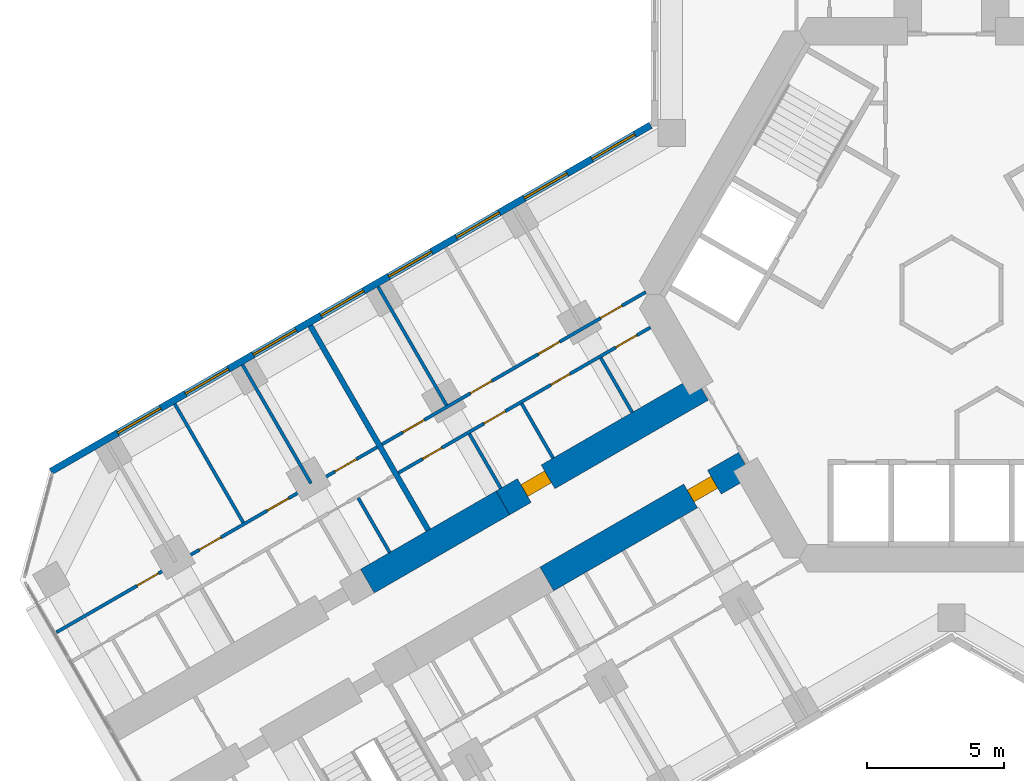
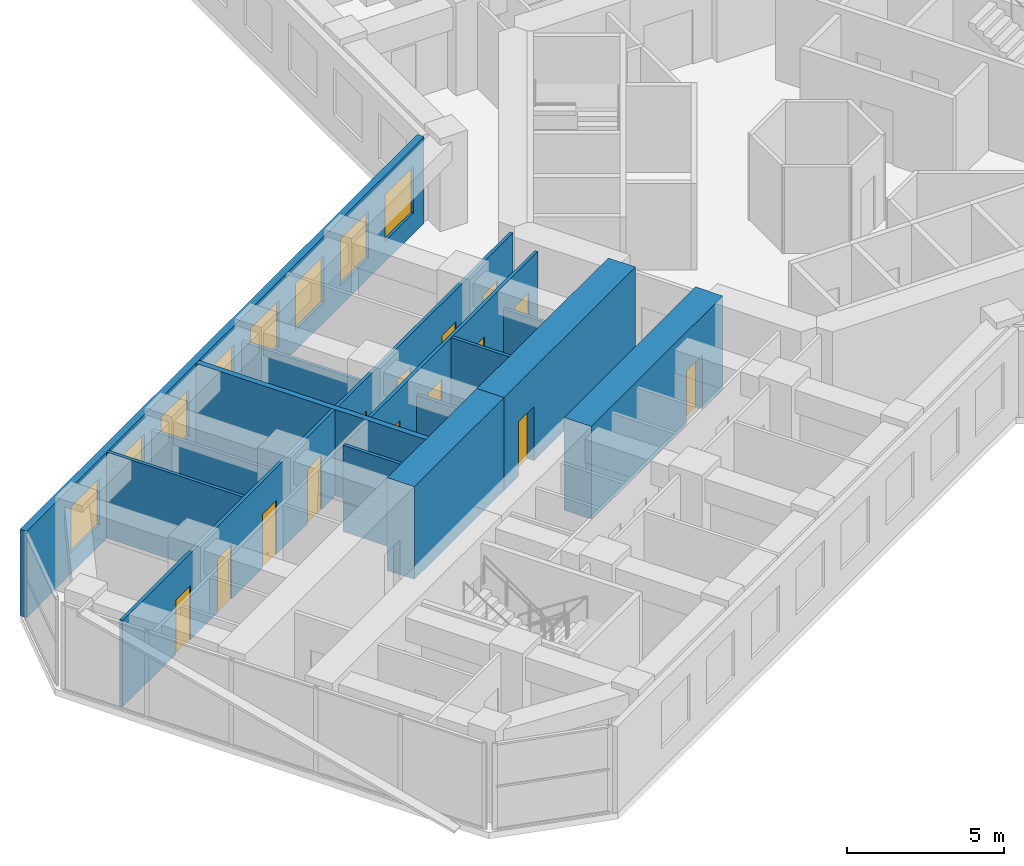
# One storey, part 12 of 21: 15 walls, 14 doors, 8 windows, 22 openings.
"""IFC4 building model written with IfcOpenShell, lengths in metres."""

from ifc_helpers import new_model, si_unit, direction, frame, frame_2d, origin, place, context, subcontext, project, spatial, rectangle, extrude, material, layer, layer_set, type_object, element, fill, save


model = new_model("IFC4")

# Units and contexts
model_context = context("Model", 3, precision=1e-05, world=origin(), true_north=direction((0.0, 1.0)))
body_context = subcontext(model_context, "Body", "Model", "MODEL_VIEW")
ifc_project = project(units=[si_unit("LENGTHUNIT", "METRE"), si_unit("AREAUNIT", "SQUARE_METRE"), si_unit("VOLUMEUNIT", "CUBIC_METRE"), si_unit("PLANEANGLEUNIT", "RADIAN"), si_unit("MASSUNIT", "GRAM", prefix="KILO")], contexts=[model_context])

# Site, building, storey
site_placement = place(None, origin())
site = spatial("IfcSite", under=ifc_project, at=site_placement, CompositionType="ELEMENT")
building_placement = place(site_placement, origin())
building = spatial("IfcBuilding", under=site, at=building_placement, Name="Kosmar Iwan School Tower", CompositionType="ELEMENT")
storey_placement = place(building_placement, frame((0.0, 0.0, 64.60009765625)))
storey = spatial("IfcBuildingStorey", under=building, at=storey_placement, Name="L15", CompositionType="ELEMENT", Elevation=64.60009765625)

# Wall, opening, door
ifc_material_1 = material(Name="Concrete C50/60", Category="concrete")
ifc_layer_1 = layer(ifc_material_1, 1.0)
ifc_layer_set_1 = layer_set([ifc_layer_1], Name="Corridor buttress wall 1000")
wall_type_1 = type_object("IfcWallType", Name="Corridor buttress wall 1000", PredefinedType="SHEAR", material=ifc_layer_set_1)
wall_1_placement = place(storey_placement, frame((-7.513916015625, -6.185546875, 0.0), z_axis=(0.0, 0.0, 1.0), x_axis=(-0.866019549707, -0.500010139422, 0.0)))
wall_1 = element("IfcWall", 1, at=wall_1_placement, inside=storey, type_object=wall_type_1, Name="Corridor wall BL", PredefinedType="SHEAR", context=body_context, shape_type="SweptSolid", body=[
    extrude(rectangle(XDim=8.349853515625, YDim=1.0, at=frame_2d((4.1748046875, 0.0))), origin(), (0.0, 0.0, 1.0), 3.599853515625),
])
opening_1_placement = place(wall_1_placement, frame((1.300048828125, 0.0, 0.0)))
opening_1 = element("IfcOpeningElement", 2, at=opening_1_placement, cuts=wall_1, Name="Opening D1", PredefinedType="OPENING", context=body_context, shape_type="SweptSolid", body=[
    extrude(rectangle(XDim=1.0, YDim=2.10009765625, at=frame_2d((0.5, 1.050048828125))), frame((0.0, 0.511962890625, 0.0), z_axis=(0.0, -1.0, 0.0), x_axis=(1.0, 0.0, 0.0)), (0.0, 0.0, 1.0), 1.02392578125),
])
ifc_material_2 = material(Name="Timber fire door in steel frame", Category="steel")
door_type_1 = type_object("IfcDoorType", Name="Flat entrance door 1000x2100", OperationType="SINGLE_SWING_LEFT", PredefinedType="DOOR", material=ifc_material_2)
door_1_placement = place(opening_1_placement, origin())
door_1 = element("IfcDoor", 3, at=door_1_placement, inside=storey, type_object=door_type_1, Name="Flat L15-BL1 entrance door", OperationType="SINGLE_SWING_RIGHT", OverallHeight=2.10009765625, OverallWidth=1.0, PredefinedType="DOOR", context=body_context, shape_type="SweptSolid", body=[
    extrude(rectangle(XDim=1.0, YDim=2.10009765625, at=frame_2d((0.5, 1.050048828125))), frame((0.0, 0.25, 0.0), z_axis=(0.0, -1.0, 0.0), x_axis=(1.0, 0.0, 0.0)), (0.0, 0.0, 1.0), 0.5),
])
fill(opening_1, door_1)

wall_2_placement = place(storey_placement, frame((-9.11376953125, -3.414306640625, 0.0), z_axis=(0.0, 0.0, 1.0), x_axis=(-0.866026859388, -0.499997478812, 0.0)))
wall_2 = element("IfcWall", 4, at=wall_2_placement, inside=storey, type_object=wall_type_1, Name="Corridor wall BR", PredefinedType="SHEAR", context=body_context, shape_type="SweptSolid", body=[
    extrude(rectangle(XDim=8.35009765625, YDim=1.0, at=frame_2d((4.175048828125, 0.0))), origin(), (0.0, 0.0, 1.0), 3.599853515625),
])
opening_2_placement = place(wall_2_placement, frame((6.449951171875, 0.0, 0.0)))
opening_2 = element("IfcOpeningElement", 5, at=opening_2_placement, cuts=wall_2, Name="Opening D1", PredefinedType="OPENING", context=body_context, shape_type="SweptSolid", body=[
    extrude(rectangle(XDim=1.0, YDim=2.10009765625, at=frame_2d((0.5, 1.050048828125))), frame((0.0, 0.511962890625, 0.0), z_axis=(0.0, -1.0, 0.0), x_axis=(1.0, 0.0, 0.0)), (0.0, 0.0, 1.0), 1.02392578125),
])
door_2_placement = place(opening_2_placement, origin())
door_2 = element("IfcDoor", 6, at=door_2_placement, inside=storey, type_object=door_type_1, Name="Flat L15-BR1 entrance door", OperationType="SINGLE_SWING_RIGHT", OverallHeight=2.10009765625, OverallWidth=1.0, PredefinedType="DOOR", context=body_context, shape_type="SweptSolid", body=[
    extrude(rectangle(XDim=1.0, YDim=2.10009765625, at=frame_2d((0.5, 1.050048828125))), frame((0.0, 0.25, 0.0), z_axis=(0.0, -1.0, 0.0), x_axis=(1.0, 0.0, 0.0)), (0.0, 0.0, 1.0), 0.5),
])
fill(opening_2, door_2)

# Wall
wall_3_placement = place(storey_placement, frame((-16.34521484375, -7.58935546875, 0.0), z_axis=(0.0, 0.0, 1.0), x_axis=(-0.866015111908, -0.50001782563, 0.0)))
element("IfcWall", 7, at=wall_3_placement, inside=storey, type_object=wall_type_1, Name="Corridor wall BR bay 2", PredefinedType="SHEAR", context=body_context, shape_type="SweptSolid", body=[
    extrude(rectangle(XDim=5.699951171875, YDim=1.0, at=frame_2d((2.85009765625, 0.0))), origin(), (0.0, 0.0, 1.0), 3.599853515625),
])

# Wall, openings, doors
ifc_material_3 = material(Name="Gypsum board on steel studs", Category="steel")
ifc_layer_2 = layer(ifc_material_3, 0.1201171875)
ifc_layer_set_2 = layer_set([ifc_layer_2], Name="Dwelling partition 120")
wall_type_2 = type_object("IfcWallType", Name="Dwelling partition 120", PredefinedType="PARTITIONING", material=ifc_layer_set_2)
wall_4_placement = place(storey_placement, frame((-10.971923828125, -1.1962890625, 0.0), z_axis=(0.0, 0.0, 1.0), x_axis=(-0.866034853001, -0.49998363312, 0.0)))
wall_4 = element("IfcWall", 8, at=wall_4_placement, inside=storey, type_object=wall_type_2, Name="Partition L15-BR1-W1", PredefinedType="PARTITIONING", context=body_context, shape_type="SweptSolid", body=[
    extrude(rectangle(XDim=10.599853515625, YDim=0.1201171875, at=frame_2d((5.2998046875, 0.0))), origin(), (0.0, 0.0, 1.0), 3.349853515625),
])
opening_3_placement = place(wall_4_placement, frame((0.56005859375, 0.0, 0.0)))
opening_3 = element("IfcOpeningElement", 9, at=opening_3_placement, cuts=wall_4, Name="Opening D2", PredefinedType="OPENING", context=body_context, shape_type="SweptSolid", body=[
    extrude(rectangle(XDim=0.89990234375, YDim=2.10009765625, at=frame_2d((0.449951171875, 1.050048828125))), frame((0.0, 0.072021484375, 0.0), z_axis=(0.0, -1.0, 0.0), x_axis=(1.0, 0.0, 0.0)), (0.0, 0.0, 1.0), 0.14404296875),
])
opening_4_placement = place(wall_4_placement, frame((3.385009765625, 0.0, 0.0)))
opening_4 = element("IfcOpeningElement", 10, at=opening_4_placement, cuts=wall_4, Name="Opening D3", PredefinedType="OPENING", context=body_context, shape_type="SweptSolid", body=[
    extrude(rectangle(XDim=0.800048828125, YDim=2.10009765625, at=frame_2d((0.39990234375, 1.050048828125))), frame((0.0, 0.072021484375, 0.0), z_axis=(0.0, -1.0, 0.0), x_axis=(1.0, 0.0, 0.0)), (0.0, 0.0, 1.0), 0.14404296875),
])
opening_5_placement = place(wall_4_placement, frame((6.10009765625, 0.0, 0.0)))
opening_5 = element("IfcOpeningElement", 11, at=opening_5_placement, cuts=wall_4, Name="Opening D2", PredefinedType="OPENING", context=body_context, shape_type="SweptSolid", body=[
    extrude(rectangle(XDim=0.89990234375, YDim=2.10009765625, at=frame_2d((0.449951171875, 1.050048828125))), frame((0.0, 0.072021484375, 0.0), z_axis=(0.0, -1.0, 0.0), x_axis=(1.0, 0.0, 0.0)), (0.0, 0.0, 1.0), 0.14404296875),
])
opening_6_placement = place(wall_4_placement, frame((8.77490234375, 0.0, 0.0)))
opening_6 = element("IfcOpeningElement", 12, at=opening_6_placement, cuts=wall_4, Name="Opening D3", PredefinedType="OPENING", context=body_context, shape_type="SweptSolid", body=[
    extrude(rectangle(XDim=0.800048828125, YDim=2.10009765625, at=frame_2d((0.39990234375, 1.050048828125))), frame((0.0, 0.072021484375, 0.0), z_axis=(0.0, -1.0, 0.0), x_axis=(1.0, 0.0, 0.0)), (0.0, 0.0, 1.0), 0.14404296875),
])
ifc_material_4 = material(Name="Timber door in timber frame", Category="wood")
door_type_2 = type_object("IfcDoorType", Name="Internal door 900x2100", OperationType="SINGLE_SWING_LEFT", PredefinedType="DOOR", material=ifc_material_4)
door_3_placement = place(opening_3_placement, origin())
door_3 = element("IfcDoor", 13, at=door_3_placement, inside=storey, type_object=door_type_2, Name="Pantry door L15-BR1-S1", OperationType="SINGLE_SWING_RIGHT", OverallHeight=2.10009765625, OverallWidth=0.89990234375, PredefinedType="DOOR", context=body_context, shape_type="SweptSolid", body=[
    extrude(rectangle(XDim=0.89990234375, YDim=2.10009765625, at=frame_2d((0.449951171875, 1.050048828125))), frame((0.0, 0.02490234375, 0.0), z_axis=(0.0, -1.0, 0.0), x_axis=(1.0, 0.0, 0.0)), (0.0, 0.0, 1.0), 0.050048828125),
])
fill(opening_3, door_3)
door_4_placement = place(opening_5_placement, origin())
door_4 = element("IfcDoor", 14, at=door_4_placement, inside=storey, type_object=door_type_2, Name="Entrance hall door L15-BR1-S3", OperationType="SINGLE_SWING_RIGHT", OverallHeight=2.10009765625, OverallWidth=0.89990234375, PredefinedType="DOOR", context=body_context, shape_type="SweptSolid", body=[
    extrude(rectangle(XDim=0.89990234375, YDim=2.10009765625, at=frame_2d((0.449951171875, 1.050048828125))), frame((0.0, 0.02490234375, 0.0), z_axis=(0.0, -1.0, 0.0), x_axis=(1.0, 0.0, 0.0)), (0.0, 0.0, 1.0), 0.050048828125),
])
fill(opening_5, door_4)
ifc_material_5 = material(Name="Timber door in timber frame", Category="wood")
door_type_3 = type_object("IfcDoorType", Name="Sanitary room door 800x2100", OperationType="SINGLE_SWING_LEFT", PredefinedType="DOOR", material=ifc_material_5)
door_5_placement = place(opening_4_placement, origin())
door_5 = element("IfcDoor", 15, at=door_5_placement, inside=storey, type_object=door_type_3, Name="Bathroom door L15-BR1-S2", OperationType="SINGLE_SWING_LEFT", OverallHeight=2.10009765625, OverallWidth=0.800048828125, PredefinedType="DOOR", context=body_context, shape_type="SweptSolid", body=[
    extrude(rectangle(XDim=0.800048828125, YDim=2.10009765625, at=frame_2d((0.39990234375, 1.050048828125))), frame((0.0, 0.02490234375, 0.0), z_axis=(0.0, -1.0, 0.0), x_axis=(1.0, 0.0, 0.0)), (0.0, 0.0, 1.0), 0.050048828125),
])
fill(opening_4, door_5)
door_6_placement = place(opening_6_placement, origin())
door_6 = element("IfcDoor", 16, at=door_6_placement, inside=storey, type_object=door_type_3, Name="WC door L15-BR1-S4", OperationType="SINGLE_SWING_RIGHT", OverallHeight=2.10009765625, OverallWidth=0.800048828125, PredefinedType="DOOR", context=body_context, shape_type="SweptSolid", body=[
    extrude(rectangle(XDim=0.800048828125, YDim=2.10009765625, at=frame_2d((0.39990234375, 1.050048828125))), frame((0.0, 0.02490234375, 0.0), z_axis=(0.0, -1.0, 0.0), x_axis=(1.0, 0.0, 0.0)), (0.0, 0.0, 1.0), 0.050048828125),
])
fill(opening_6, door_6)

wall_5_placement = place(storey_placement, frame((-11.138916015625, 0.093017578125, 0.0), z_axis=(0.0, 0.0, 1.0), x_axis=(-0.866021494144, -0.500006771635, 0.0)))
wall_5 = element("IfcWall", 17, at=wall_5_placement, inside=storey, type_object=wall_type_2, Name="Partition L15-BR1-W2", PredefinedType="PARTITIONING", context=body_context, shape_type="SweptSolid", body=[
    extrude(rectangle(XDim=11.099853515625, YDim=0.1201171875, at=frame_2d((5.5498046875, 0.0))), origin(), (0.0, 0.0, 1.0), 3.349853515625),
])
opening_7_placement = place(wall_5_placement, frame((1.0, 0.0, 0.0)))
opening_7 = element("IfcOpeningElement", 18, at=opening_7_placement, cuts=wall_5, Name="Opening D2", PredefinedType="OPENING", context=body_context, shape_type="SweptSolid", body=[
    extrude(rectangle(XDim=0.89990234375, YDim=2.10009765625, at=frame_2d((0.449951171875, 1.050048828125))), frame((0.0, 0.072021484375, 0.0), z_axis=(0.0, -1.0, 0.0), x_axis=(1.0, 0.0, 0.0)), (0.0, 0.0, 1.0), 0.14404296875),
])
opening_8_placement = place(wall_5_placement, frame((3.625, 0.0, 0.0)))
opening_8 = element("IfcOpeningElement", 19, at=opening_8_placement, cuts=wall_5, Name="Opening D2", PredefinedType="OPENING", context=body_context, shape_type="SweptSolid", body=[
    extrude(rectangle(XDim=0.89990234375, YDim=2.10009765625, at=frame_2d((0.449951171875, 1.050048828125))), frame((0.0, 0.072021484375, 0.0), z_axis=(0.0, -1.0, 0.0), x_axis=(1.0, 0.0, 0.0)), (0.0, 0.0, 1.0), 0.14404296875),
])
opening_9_placement = place(wall_5_placement, frame((6.47509765625, 0.0, 0.0)))
opening_9 = element("IfcOpeningElement", 20, at=opening_9_placement, cuts=wall_5, Name="Opening D2", PredefinedType="OPENING", context=body_context, shape_type="SweptSolid", body=[
    extrude(rectangle(XDim=0.89990234375, YDim=2.10009765625, at=frame_2d((0.449951171875, 1.050048828125))), frame((0.0, 0.072021484375, 0.0), z_axis=(0.0, -1.0, 0.0), x_axis=(1.0, 0.0, 0.0)), (0.0, 0.0, 1.0), 0.14404296875),
])
opening_10_placement = place(wall_5_placement, frame((9.324951171875, 0.0, 0.0)))
opening_10 = element("IfcOpeningElement", 21, at=opening_10_placement, cuts=wall_5, Name="Opening D2", PredefinedType="OPENING", context=body_context, shape_type="SweptSolid", body=[
    extrude(rectangle(XDim=0.89990234375, YDim=2.10009765625, at=frame_2d((0.449951171875, 1.050048828125))), frame((0.0, 0.072021484375, 0.0), z_axis=(0.0, -1.0, 0.0), x_axis=(1.0, 0.0, 0.0)), (0.0, 0.0, 1.0), 0.14404296875),
])
door_7_placement = place(opening_7_placement, origin())
door_7 = element("IfcDoor", 22, at=door_7_placement, inside=storey, type_object=door_type_2, Name="Living room and kitchen door L15-BR1-F1", OperationType="SINGLE_SWING_LEFT", OverallHeight=2.10009765625, OverallWidth=0.89990234375, PredefinedType="DOOR", context=body_context, shape_type="SweptSolid", body=[
    extrude(rectangle(XDim=0.89990234375, YDim=2.10009765625, at=frame_2d((0.449951171875, 1.050048828125))), frame((0.0, 0.02490234375, 0.0), z_axis=(0.0, -1.0, 0.0), x_axis=(1.0, 0.0, 0.0)), (0.0, 0.0, 1.0), 0.050048828125),
])
fill(opening_7, door_7)
door_8_placement = place(opening_8_placement, origin())
door_8 = element("IfcDoor", 23, at=door_8_placement, inside=storey, type_object=door_type_2, Name="Study door L15-BR1-F2", OperationType="SINGLE_SWING_LEFT", OverallHeight=2.10009765625, OverallWidth=0.89990234375, PredefinedType="DOOR", context=body_context, shape_type="SweptSolid", body=[
    extrude(rectangle(XDim=0.89990234375, YDim=2.10009765625, at=frame_2d((0.449951171875, 1.050048828125))), frame((0.0, 0.02490234375, 0.0), z_axis=(0.0, -1.0, 0.0), x_axis=(1.0, 0.0, 0.0)), (0.0, 0.0, 1.0), 0.050048828125),
])
fill(opening_8, door_8)
door_9_placement = place(opening_9_placement, origin())
door_9 = element("IfcDoor", 24, at=door_9_placement, inside=storey, type_object=door_type_2, Name="Study door L15-BR1-F3", OperationType="SINGLE_SWING_RIGHT", OverallHeight=2.10009765625, OverallWidth=0.89990234375, PredefinedType="DOOR", context=body_context, shape_type="SweptSolid", body=[
    extrude(rectangle(XDim=0.89990234375, YDim=2.10009765625, at=frame_2d((0.449951171875, 1.050048828125))), frame((0.0, 0.02490234375, 0.0), z_axis=(0.0, -1.0, 0.0), x_axis=(1.0, 0.0, 0.0)), (0.0, 0.0, 1.0), 0.050048828125),
])
fill(opening_9, door_9)
door_10_placement = place(opening_10_placement, origin())
door_10 = element("IfcDoor", 25, at=door_10_placement, inside=storey, type_object=door_type_2, Name="Bedroom 1 door L15-BR1-F4", OperationType="SINGLE_SWING_RIGHT", OverallHeight=2.10009765625, OverallWidth=0.89990234375, PredefinedType="DOOR", context=body_context, shape_type="SweptSolid", body=[
    extrude(rectangle(XDim=0.89990234375, YDim=2.10009765625, at=frame_2d((0.449951171875, 1.050048828125))), frame((0.0, 0.02490234375, 0.0), z_axis=(0.0, -1.0, 0.0), x_axis=(1.0, 0.0, 0.0)), (0.0, 0.0, 1.0), 0.050048828125),
])
fill(opening_10, door_10)

# Walls
wall_6_placement = place(storey_placement, frame((-18.400146484375, -4.030029296875, 0.0), z_axis=(0.0, 0.0, 1.0), x_axis=(-0.500011847778, 0.866018563358, 0.0)))
element("IfcWall", 26, at=wall_6_placement, inside=storey, type_object=wall_type_2, Name="Partition L15-BR1-X3", PredefinedType="PARTITIONING", context=body_context, shape_type="SweptSolid", body=[
    extrude(rectangle(XDim=4.990234375, YDim=0.1201171875, at=frame_2d((2.4951171875, 0.0))), origin(), (0.0, 0.0, 1.0), 2.449951171875),
])
wall_7_placement = place(storey_placement, frame((-11.6328125, -4.291259765625, 0.0), z_axis=(0.0, 0.0, 1.0), x_axis=(-0.500014693593, 0.866016920268, 0.0)))
element("IfcWall", 27, at=wall_7_placement, inside=storey, type_object=wall_type_2, Name="Partition L15-BR1-Y1", PredefinedType="PARTITIONING", context=body_context, shape_type="SweptSolid", body=[
    extrude(rectangle(XDim=2.2900390625, YDim=0.1201171875, at=frame_2d((1.14501953125, 0.0))), origin(), (0.0, 0.0, 1.0), 2.449951171875),
])
wall_8_placement = place(storey_placement, frame((-14.5166015625, -5.956298828125, 0.0), z_axis=(0.0, 0.0, 1.0), x_axis=(-0.500014693593, 0.866016920268, 0.0)))
element("IfcWall", 28, at=wall_8_placement, inside=storey, type_object=wall_type_2, Name="Partition L15-BR1-Y2", PredefinedType="PARTITIONING", context=body_context, shape_type="SweptSolid", body=[
    extrude(rectangle(XDim=2.2900390625, YDim=0.1201171875, at=frame_2d((1.14501953125, 0.0))), origin(), (0.0, 0.0, 1.0), 3.349853515625),
])
wall_9_placement = place(storey_placement, frame((-16.421875, -7.056396484375, 0.0), z_axis=(0.0, 0.0, 1.0), x_axis=(-0.500014693593, 0.866016920268, 0.0)))
element("IfcWall", 29, at=wall_9_placement, inside=storey, type_object=wall_type_2, Name="Partition L15-BR1-Y3", PredefinedType="PARTITIONING", context=body_context, shape_type="SweptSolid", body=[
    extrude(rectangle(XDim=2.2900390625, YDim=0.1201171875, at=frame_2d((1.14501953125, 0.0))), origin(), (0.0, 0.0, 1.0), 2.449951171875),
])

# Wall, openings, doors
wall_10_placement = place(storey_placement, frame((-20.9248046875, -5.556884765625, 0.0), z_axis=(0.0, 0.0, 1.0), x_axis=(-0.866028025956, -0.499995458239, 0.0)))
wall_10 = element("IfcWall", 30, at=wall_10_placement, inside=storey, type_object=wall_type_2, Name="Partition L15-BR2-W2", PredefinedType="PARTITIONING", context=body_context, shape_type="SweptSolid", body=[
    extrude(rectangle(XDim=13.495361328125, YDim=0.1201171875, at=frame_2d((6.74755859375, 0.0))), origin(), (0.0, 0.0, 1.0), 3.349853515625),
])
opening_11_placement = place(wall_10_placement, frame((0.875, 0.0, 0.0)))
opening_11 = element("IfcOpeningElement", 31, at=opening_11_placement, cuts=wall_10, Name="Opening D2", PredefinedType="OPENING", context=body_context, shape_type="SweptSolid", body=[
    extrude(rectangle(XDim=0.89990234375, YDim=2.10009765625, at=frame_2d((0.449951171875, 1.050048828125))), frame((0.0, 0.072021484375, 0.0), z_axis=(0.0, -1.0, 0.0), x_axis=(1.0, 0.0, 0.0)), (0.0, 0.0, 1.0), 0.14404296875),
])
opening_12_placement = place(wall_10_placement, frame((3.72509765625, 0.0, 0.0)))
opening_12 = element("IfcOpeningElement", 32, at=opening_12_placement, cuts=wall_10, Name="Opening D2", PredefinedType="OPENING", context=body_context, shape_type="SweptSolid", body=[
    extrude(rectangle(XDim=0.89990234375, YDim=2.10009765625, at=frame_2d((0.449951171875, 1.050048828125))), frame((0.0, 0.072021484375, 0.0), z_axis=(0.0, -1.0, 0.0), x_axis=(1.0, 0.0, 0.0)), (0.0, 0.0, 1.0), 0.14404296875),
])
opening_13_placement = place(wall_10_placement, frame((6.574951171875, 0.0, 0.0)))
opening_13 = element("IfcOpeningElement", 33, at=opening_13_placement, cuts=wall_10, Name="Opening D2", PredefinedType="OPENING", context=body_context, shape_type="SweptSolid", body=[
    extrude(rectangle(XDim=0.89990234375, YDim=2.10009765625, at=frame_2d((0.449951171875, 1.050048828125))), frame((0.0, 0.072021484375, 0.0), z_axis=(0.0, -1.0, 0.0), x_axis=(1.0, 0.0, 0.0)), (0.0, 0.0, 1.0), 0.14404296875),
])
opening_14_placement = place(wall_10_placement, frame((9.199951171875, 0.0, 0.0)))
opening_14 = element("IfcOpeningElement", 34, at=opening_14_placement, cuts=wall_10, Name="Opening D2", PredefinedType="OPENING", context=body_context, shape_type="SweptSolid", body=[
    extrude(rectangle(XDim=0.89990234375, YDim=2.10009765625, at=frame_2d((0.449951171875, 1.050048828125))), frame((0.0, 0.072021484375, 0.0), z_axis=(0.0, -1.0, 0.0), x_axis=(1.0, 0.0, 0.0)), (0.0, 0.0, 1.0), 0.14404296875),
])
door_11_placement = place(opening_11_placement, origin())
door_11 = element("IfcDoor", 35, at=door_11_placement, inside=storey, type_object=door_type_2, Name="Study door L15-BR2-F1", OperationType="SINGLE_SWING_LEFT", OverallHeight=2.10009765625, OverallWidth=0.89990234375, PredefinedType="DOOR", context=body_context, shape_type="SweptSolid", body=[
    extrude(rectangle(XDim=0.89990234375, YDim=2.10009765625, at=frame_2d((0.449951171875, 1.050048828125))), frame((0.0, 0.02490234375, 0.0), z_axis=(0.0, -1.0, 0.0), x_axis=(1.0, 0.0, 0.0)), (0.0, 0.0, 1.0), 0.050048828125),
])
fill(opening_11, door_11)
door_12_placement = place(opening_12_placement, origin())
door_12 = element("IfcDoor", 36, at=door_12_placement, inside=storey, type_object=door_type_2, Name="Bedroom 1 door L15-BR2-F2", OperationType="SINGLE_SWING_LEFT", OverallHeight=2.10009765625, OverallWidth=0.89990234375, PredefinedType="DOOR", context=body_context, shape_type="SweptSolid", body=[
    extrude(rectangle(XDim=0.89990234375, YDim=2.10009765625, at=frame_2d((0.449951171875, 1.050048828125))), frame((0.0, 0.02490234375, 0.0), z_axis=(0.0, -1.0, 0.0), x_axis=(1.0, 0.0, 0.0)), (0.0, 0.0, 1.0), 0.050048828125),
])
fill(opening_12, door_12)
door_13_placement = place(opening_13_placement, origin())
door_13 = element("IfcDoor", 37, at=door_13_placement, inside=storey, type_object=door_type_2, Name="Bedroom 2 door L15-BR2-F3", OperationType="SINGLE_SWING_RIGHT", OverallHeight=2.10009765625, OverallWidth=0.89990234375, PredefinedType="DOOR", context=body_context, shape_type="SweptSolid", body=[
    extrude(rectangle(XDim=0.89990234375, YDim=2.10009765625, at=frame_2d((0.449951171875, 1.050048828125))), frame((0.0, 0.02490234375, 0.0), z_axis=(0.0, -1.0, 0.0), x_axis=(1.0, 0.0, 0.0)), (0.0, 0.0, 1.0), 0.050048828125),
])
fill(opening_13, door_13)
door_14_placement = place(opening_14_placement, origin())
door_14 = element("IfcDoor", 38, at=door_14_placement, inside=storey, type_object=door_type_2, Name="Living room and kitchen door L15-BR2-F4", OperationType="SINGLE_SWING_RIGHT", OverallHeight=2.10009765625, OverallWidth=0.89990234375, PredefinedType="DOOR", context=body_context, shape_type="SweptSolid", body=[
    extrude(rectangle(XDim=0.89990234375, YDim=2.10009765625, at=frame_2d((0.449951171875, 1.050048828125))), frame((0.0, 0.02490234375, 0.0), z_axis=(0.0, -1.0, 0.0), x_axis=(1.0, 0.0, 0.0)), (0.0, 0.0, 1.0), 0.050048828125),
])
fill(opening_14, door_14)

# Walls
wall_11_placement = place(storey_placement, frame((-23.33642578125, -6.8798828125, 0.0), z_axis=(0.0, 0.0, 1.0), x_axis=(-0.500033033937, 0.866006330792, 0.0)))
element("IfcWall", 39, at=wall_11_placement, inside=storey, type_object=wall_type_2, Name="Partition L15-BR2-X1", PredefinedType="PARTITIONING", context=body_context, shape_type="SweptSolid", body=[
    extrude(rectangle(XDim=4.989990234375, YDim=0.1201171875, at=frame_2d((2.4951171875, 0.0))), origin(), (0.0, 0.0, 1.0), 2.449951171875),
])
wall_12_placement = place(storey_placement, frame((-25.8046875, -8.304931640625, 0.0), z_axis=(0.0, 0.0, 1.0), x_axis=(-0.499975153383, 0.86603974851, 0.0)))
element("IfcWall", 40, at=wall_12_placement, inside=storey, type_object=wall_type_2, Name="Partition L15-BR2-X2", PredefinedType="PARTITIONING", context=body_context, shape_type="SweptSolid", body=[
    extrude(rectangle(XDim=4.989990234375, YDim=0.1201171875, at=frame_2d((2.4951171875, 0.0))), origin(), (0.0, 0.0, 1.0), 3.349853515625),
])
wall_13_placement = place(storey_placement, frame((-20.470703125, -9.393798828125, 0.0), z_axis=(0.0, 0.0, 1.0), x_axis=(-0.500014693593, 0.866016920268, 0.0)))
element("IfcWall", 41, at=wall_13_placement, inside=storey, type_object=wall_type_2, Name="Partition L15-BR2-Y1", PredefinedType="PARTITIONING", context=body_context, shape_type="SweptSolid", body=[
    extrude(rectangle(XDim=2.2900390625, YDim=0.1201171875, at=frame_2d((1.14501953125, 0.0))), origin(), (0.0, 0.0, 1.0), 3.349853515625),
])

# Wall, openings, windows
ifc_material_6 = material(Name="Black aluminium rainscreen on insulated framing", Category="aluminium")
ifc_layer_3 = layer(ifc_material_6, 0.25)
ifc_layer_set_3 = layer_set([ifc_layer_3], Name="External wall rainscreen 250")
wall_type_3 = type_object("IfcWallType", Name="External wall rainscreen 250", PredefinedType="SOLIDWALL", material=ifc_layer_set_3)
wall_14_placement = place(storey_placement, frame((-10.962890625, 6.170166015625, 0.0), z_axis=(0.0, 0.0, 1.0), x_axis=(-0.86602796634, -0.499995561497, 0.0)))
wall_14 = element("IfcWall", 42, at=wall_14_placement, inside=storey, type_object=wall_type_3, Name="External wall BR L15", PredefinedType="SOLIDWALL", context=body_context, shape_type="SweptSolid", body=[
    extrude(rectangle(XDim=25.226318359375, YDim=0.25, at=frame_2d((12.61328125, 0.0))), origin(), (0.0, 0.0, 1.0), 3.349853515625),
])
opening_15_placement = place(wall_14_placement, frame((0.666015625, 0.0, 0.800048828125)))
opening_15 = element("IfcOpeningElement", 43, at=opening_15_placement, cuts=wall_14, Name="Opening W1", PredefinedType="OPENING", context=body_context, shape_type="SweptSolid", body=[
    extrude(rectangle(XDim=1.800048828125, YDim=1.800048828125, at=frame_2d((0.89990234375, 0.89990234375))), frame((0.0, 0.136962890625, 0.0), z_axis=(0.0, -1.0, 0.0), x_axis=(1.0, 0.0, 0.0)), (0.0, 0.0, 1.0), 0.27392578125),
])
opening_16_placement = place(wall_14_placement, frame((3.51611328125, 0.0, 0.800048828125)))
opening_16 = element("IfcOpeningElement", 44, at=opening_16_placement, cuts=wall_14, Name="Opening W1", PredefinedType="OPENING", context=body_context, shape_type="SweptSolid", body=[
    extrude(rectangle(XDim=1.800048828125, YDim=1.800048828125, at=frame_2d((0.89990234375, 0.89990234375))), frame((0.0, 0.136962890625, 0.0), z_axis=(0.0, -1.0, 0.0), x_axis=(1.0, 0.0, 0.0)), (0.0, 0.0, 1.0), 0.27392578125),
])
opening_17_placement = place(wall_14_placement, frame((6.365966796875, 0.0, 0.800048828125)))
opening_17 = element("IfcOpeningElement", 45, at=opening_17_placement, cuts=wall_14, Name="Opening W1", PredefinedType="OPENING", context=body_context, shape_type="SweptSolid", body=[
    extrude(rectangle(XDim=1.800048828125, YDim=1.800048828125, at=frame_2d((0.89990234375, 0.89990234375))), frame((0.0, 0.136962890625, 0.0), z_axis=(0.0, -1.0, 0.0), x_axis=(1.0, 0.0, 0.0)), (0.0, 0.0, 1.0), 0.27392578125),
])
opening_18_placement = place(wall_14_placement, frame((9.216064453125, 0.0, 0.800048828125)))
opening_18 = element("IfcOpeningElement", 46, at=opening_18_placement, cuts=wall_14, Name="Opening W1", PredefinedType="OPENING", context=body_context, shape_type="SweptSolid", body=[
    extrude(rectangle(XDim=1.800048828125, YDim=1.800048828125, at=frame_2d((0.89990234375, 0.89990234375))), frame((0.0, 0.136962890625, 0.0), z_axis=(0.0, -1.0, 0.0), x_axis=(1.0, 0.0, 0.0)), (0.0, 0.0, 1.0), 0.27392578125),
])
opening_19_placement = place(wall_14_placement, frame((12.06591796875, 0.0, 0.800048828125)))
opening_19 = element("IfcOpeningElement", 47, at=opening_19_placement, cuts=wall_14, Name="Opening W1", PredefinedType="OPENING", context=body_context, shape_type="SweptSolid", body=[
    extrude(rectangle(XDim=1.800048828125, YDim=1.800048828125, at=frame_2d((0.89990234375, 0.89990234375))), frame((0.0, 0.136962890625, 0.0), z_axis=(0.0, -1.0, 0.0), x_axis=(1.0, 0.0, 0.0)), (0.0, 0.0, 1.0), 0.27392578125),
])
opening_20_placement = place(wall_14_placement, frame((14.916015625, 0.0, 0.800048828125)))
opening_20 = element("IfcOpeningElement", 48, at=opening_20_placement, cuts=wall_14, Name="Opening W1", PredefinedType="OPENING", context=body_context, shape_type="SweptSolid", body=[
    extrude(rectangle(XDim=1.800048828125, YDim=1.800048828125, at=frame_2d((0.89990234375, 0.89990234375))), frame((0.0, 0.136962890625, 0.0), z_axis=(0.0, -1.0, 0.0), x_axis=(1.0, 0.0, 0.0)), (0.0, 0.0, 1.0), 0.27392578125),
])
opening_21_placement = place(wall_14_placement, frame((17.76611328125, 0.0, 0.800048828125)))
opening_21 = element("IfcOpeningElement", 49, at=opening_21_placement, cuts=wall_14, Name="Opening W1", PredefinedType="OPENING", context=body_context, shape_type="SweptSolid", body=[
    extrude(rectangle(XDim=1.800048828125, YDim=1.800048828125, at=frame_2d((0.89990234375, 0.89990234375))), frame((0.0, 0.136962890625, 0.0), z_axis=(0.0, -1.0, 0.0), x_axis=(1.0, 0.0, 0.0)), (0.0, 0.0, 1.0), 0.27392578125),
])
opening_22_placement = place(wall_14_placement, frame((20.615966796875, 0.0, 0.800048828125)))
opening_22 = element("IfcOpeningElement", 50, at=opening_22_placement, cuts=wall_14, Name="Opening W1", PredefinedType="OPENING", context=body_context, shape_type="SweptSolid", body=[
    extrude(rectangle(XDim=1.800048828125, YDim=1.800048828125, at=frame_2d((0.89990234375, 0.89990234375))), frame((0.0, 0.136962890625, 0.0), z_axis=(0.0, -1.0, 0.0), x_axis=(1.0, 0.0, 0.0)), (0.0, 0.0, 1.0), 0.27392578125),
])
ifc_material_7 = material(Name="Black aluminium frame with dark triple glazing", Category="aluminium")
window_type = type_object("IfcWindowType", Name="Window 1800x1800", PartitioningType="SINGLE_PANEL", PredefinedType="WINDOW", material=ifc_material_7)
window_1_placement = place(opening_15_placement, origin())
window_1 = element("IfcWindow", 51, at=window_1_placement, inside=storey, type_object=window_type, Name="Window BR L15 -1", OverallHeight=1.800048828125, OverallWidth=1.800048828125, PartitioningType="SINGLE_PANEL", PredefinedType="WINDOW", context=body_context, shape_type="SweptSolid", body=[
    extrude(rectangle(XDim=1.800048828125, YDim=1.800048828125, at=frame_2d((0.89990234375, 0.89990234375))), frame((0.0, 0.030029296875, 0.0), z_axis=(0.0, -1.0, 0.0), x_axis=(1.0, 0.0, 0.0)), (0.0, 0.0, 1.0), 0.06005859375),
])
fill(opening_15, window_1)
window_2_placement = place(opening_16_placement, origin())
window_2 = element("IfcWindow", 52, at=window_2_placement, inside=storey, type_object=window_type, Name="Window BR L15 0", OverallHeight=1.800048828125, OverallWidth=1.800048828125, PartitioningType="SINGLE_PANEL", PredefinedType="WINDOW", context=body_context, shape_type="SweptSolid", body=[
    extrude(rectangle(XDim=1.800048828125, YDim=1.800048828125, at=frame_2d((0.89990234375, 0.89990234375))), frame((0.0, 0.030029296875, 0.0), z_axis=(0.0, -1.0, 0.0), x_axis=(1.0, 0.0, 0.0)), (0.0, 0.0, 1.0), 0.06005859375),
])
fill(opening_16, window_2)
window_3_placement = place(opening_17_placement, origin())
window_3 = element("IfcWindow", 53, at=window_3_placement, inside=storey, type_object=window_type, Name="Window BR L15 1", OverallHeight=1.800048828125, OverallWidth=1.800048828125, PartitioningType="SINGLE_PANEL", PredefinedType="WINDOW", context=body_context, shape_type="SweptSolid", body=[
    extrude(rectangle(XDim=1.800048828125, YDim=1.800048828125, at=frame_2d((0.89990234375, 0.89990234375))), frame((0.0, 0.030029296875, 0.0), z_axis=(0.0, -1.0, 0.0), x_axis=(1.0, 0.0, 0.0)), (0.0, 0.0, 1.0), 0.06005859375),
])
fill(opening_17, window_3)
window_4_placement = place(opening_18_placement, origin())
window_4 = element("IfcWindow", 54, at=window_4_placement, inside=storey, type_object=window_type, Name="Window BR L15 2", OverallHeight=1.800048828125, OverallWidth=1.800048828125, PartitioningType="SINGLE_PANEL", PredefinedType="WINDOW", context=body_context, shape_type="SweptSolid", body=[
    extrude(rectangle(XDim=1.800048828125, YDim=1.800048828125, at=frame_2d((0.89990234375, 0.89990234375))), frame((0.0, 0.030029296875, 0.0), z_axis=(0.0, -1.0, 0.0), x_axis=(1.0, 0.0, 0.0)), (0.0, 0.0, 1.0), 0.06005859375),
])
fill(opening_18, window_4)
window_5_placement = place(opening_19_placement, origin())
window_5 = element("IfcWindow", 55, at=window_5_placement, inside=storey, type_object=window_type, Name="Window BR L15 3", OverallHeight=1.800048828125, OverallWidth=1.800048828125, PartitioningType="SINGLE_PANEL", PredefinedType="WINDOW", context=body_context, shape_type="SweptSolid", body=[
    extrude(rectangle(XDim=1.800048828125, YDim=1.800048828125, at=frame_2d((0.89990234375, 0.89990234375))), frame((0.0, 0.030029296875, 0.0), z_axis=(0.0, -1.0, 0.0), x_axis=(1.0, 0.0, 0.0)), (0.0, 0.0, 1.0), 0.06005859375),
])
fill(opening_19, window_5)
window_6_placement = place(opening_20_placement, origin())
window_6 = element("IfcWindow", 56, at=window_6_placement, inside=storey, type_object=window_type, Name="Window BR L15 4", OverallHeight=1.800048828125, OverallWidth=1.800048828125, PartitioningType="SINGLE_PANEL", PredefinedType="WINDOW", context=body_context, shape_type="SweptSolid", body=[
    extrude(rectangle(XDim=1.800048828125, YDim=1.800048828125, at=frame_2d((0.89990234375, 0.89990234375))), frame((0.0, 0.030029296875, 0.0), z_axis=(0.0, -1.0, 0.0), x_axis=(1.0, 0.0, 0.0)), (0.0, 0.0, 1.0), 0.06005859375),
])
fill(opening_20, window_6)
window_7_placement = place(opening_21_placement, origin())
window_7 = element("IfcWindow", 57, at=window_7_placement, inside=storey, type_object=window_type, Name="Window BR L15 5", OverallHeight=1.800048828125, OverallWidth=1.800048828125, PartitioningType="SINGLE_PANEL", PredefinedType="WINDOW", context=body_context, shape_type="SweptSolid", body=[
    extrude(rectangle(XDim=1.800048828125, YDim=1.800048828125, at=frame_2d((0.89990234375, 0.89990234375))), frame((0.0, 0.030029296875, 0.0), z_axis=(0.0, -1.0, 0.0), x_axis=(1.0, 0.0, 0.0)), (0.0, 0.0, 1.0), 0.06005859375),
])
fill(opening_21, window_7)
window_8_placement = place(opening_22_placement, origin())
window_8 = element("IfcWindow", 58, at=window_8_placement, inside=storey, type_object=window_type, Name="Window BR L15 6", OverallHeight=1.800048828125, OverallWidth=1.800048828125, PartitioningType="SINGLE_PANEL", PredefinedType="WINDOW", context=body_context, shape_type="SweptSolid", body=[
    extrude(rectangle(XDim=1.800048828125, YDim=1.800048828125, at=frame_2d((0.89990234375, 0.89990234375))), frame((0.0, 0.030029296875, 0.0), z_axis=(0.0, -1.0, 0.0), x_axis=(1.0, 0.0, 0.0)), (0.0, 0.0, 1.0), 0.06005859375),
])
fill(opening_22, window_8)

# Wall
ifc_material_8 = material(Name="Concrete block masonry", Category="masonry")
ifc_layer_4 = layer(ifc_material_8, 0.199951171875)
ifc_layer_set_4 = layer_set([ifc_layer_4], Name="Party wall 200")
wall_type_4 = type_object("IfcWallType", Name="Party wall 200", PredefinedType="PARTITIONING", material=ifc_layer_set_4)
wall_15_placement = place(storey_placement, frame((-19.063232421875, -8.581298828125, 0.0), z_axis=(0.0, 0.0, 1.0), x_axis=(-0.500007509209, 0.866021068297, 0.0)))
element("IfcWall", 59, at=wall_15_placement, inside=storey, type_object=wall_type_4, Name="Partition L15-BR2-PW", PredefinedType="PARTITIONING", context=body_context, shape_type="SweptSolid", body=[
    extrude(rectangle(XDim=8.599853515625, YDim=0.199951171875, at=frame_2d((4.2998046875, 0.0))), origin(), (0.0, 0.0, 1.0), 3.349853515625),
])

save(model, "model.ifc")
